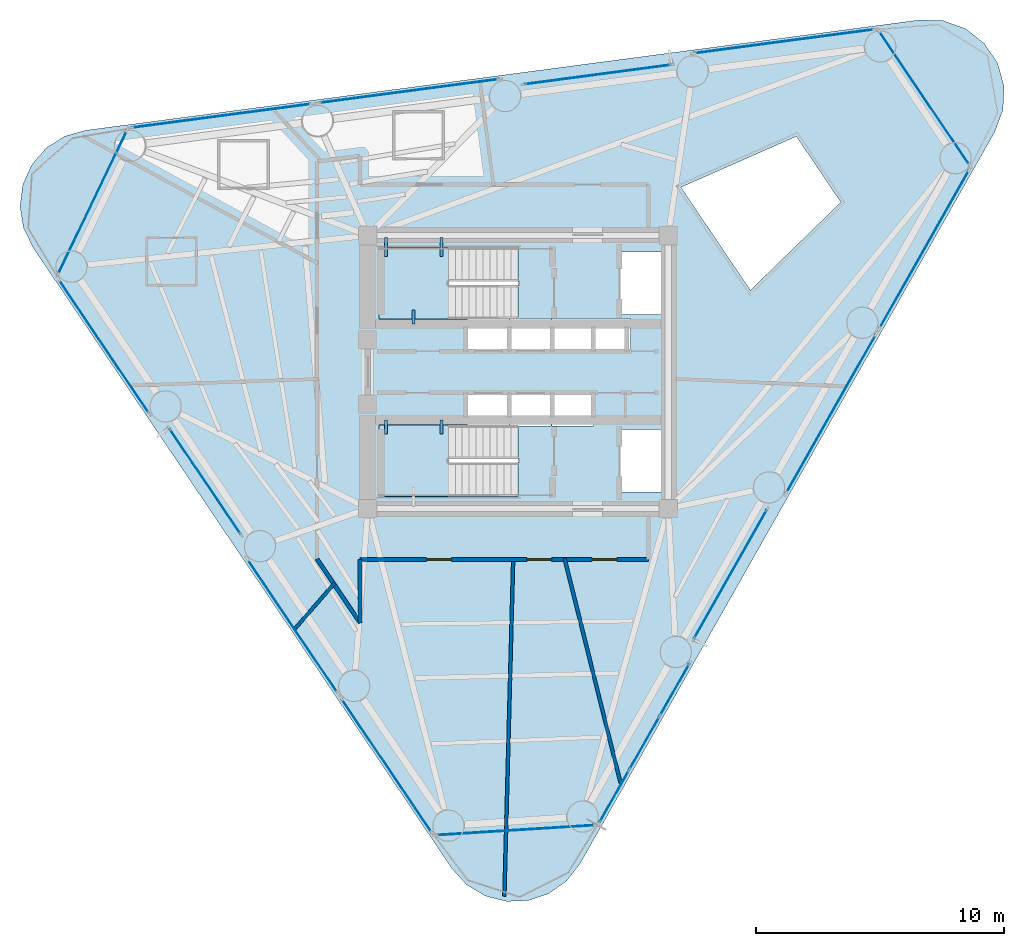
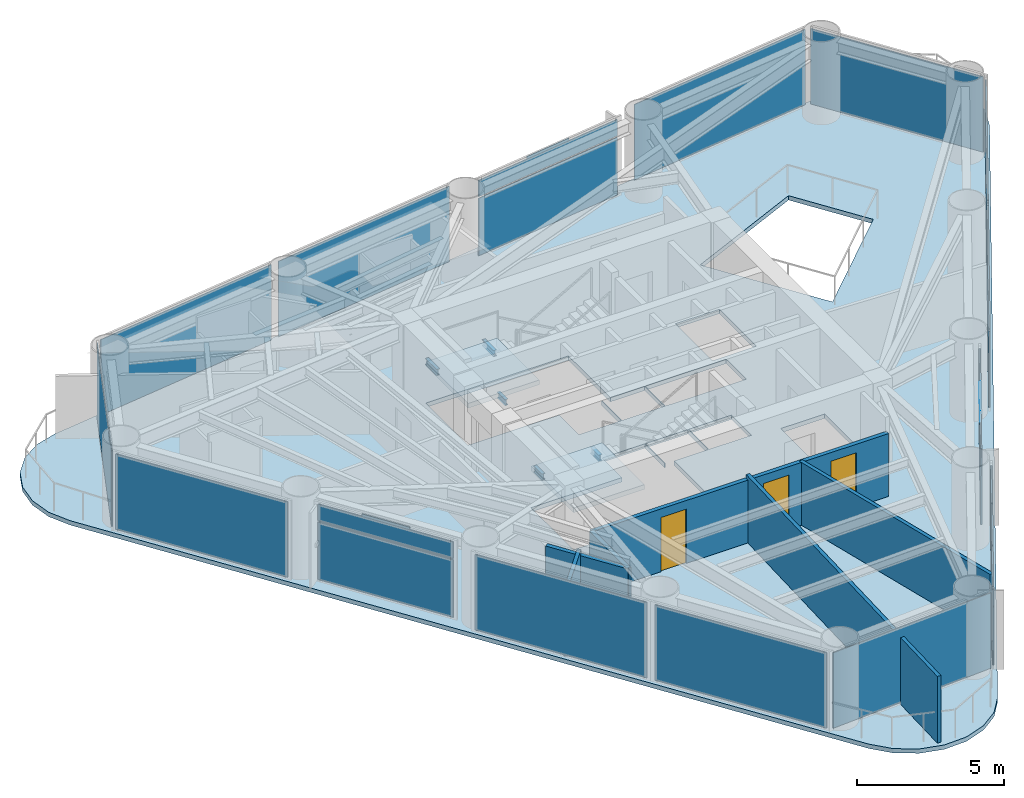
# One storey, part 4 of 9: 26 plates, 6 walls, 5 beams, 3 doors, 3 slabs, 3 openings, 17 elements without a shape of their own.
"""IFC4 building model written with IfcOpenShell, lengths in metres."""

from ifc_helpers import new_model, si_unit, direction, frame, frame_2d, origin, origin_2d, place, context, subcontext, project, spatial, polyline, rectangle, i_section, outline, extrude, source, transform, mapped, material, layer, layer_set, material_profile, profile_set, type_object, element, fill, aggregate, save


model = new_model("IFC4")

# Units and contexts
model_context = context("Model", 3, precision=1e-05, world=origin(), true_north=direction((0.0, 1.0)))
body_context = subcontext(model_context, "Body", "Model", "MODEL_VIEW")
ifc_project = project(units=[si_unit("LENGTHUNIT", "METRE"), si_unit("AREAUNIT", "SQUARE_METRE"), si_unit("VOLUMEUNIT", "CUBIC_METRE"), si_unit("PLANEANGLEUNIT", "RADIAN"), si_unit("MASSUNIT", "GRAM", prefix="KILO")], contexts=[model_context])

# Site, building, storey
site_placement = place(None, origin())
site = spatial("IfcSite", under=ifc_project, at=site_placement, CompositionType="ELEMENT")
building_placement = place(site_placement, origin())
building = spatial("IfcBuilding", under=site, at=building_placement, Name="Yunling Apex Tower", CompositionType="ELEMENT")
storey_placement = place(building_placement, frame((0.0, 0.0, 169.10009765625)))
storey = spatial("IfcBuildingStorey", under=building, at=storey_placement, Name="L41", CompositionType="ELEMENT", Elevation=169.10009765625)

# Beams
ifc_material_1 = material(Name="Steel Q355B", Category="steel")
ifc_material_profile = material_profile(ifc_material_1, i_section(OverallWidth=0.125, OverallDepth=0.25, WebThickness=0.006103515625, FlangeThickness=0.009033203125, FilletRadius=0.011962890625, at=origin_2d()))
ifc_profile_set = profile_set([ifc_material_profile], Name="Steel Q355B")
beam_type = type_object("IfcBeamType", Name="BL-LNT-1", PredefinedType="LINTEL", material=ifc_profile_set)
shared_shape_1 = source(origin(), body_context, "Body", "SweptSolid", [
    extrude(i_section(OverallWidth=0.125, OverallDepth=0.25, WebThickness=0.006103515625, FlangeThickness=0.009033203125, FilletRadius=0.011962890625, at=origin_2d()), origin(), (0.0, 0.0, 1.0), 0.760009765625),
])
for number, where, z_axis, x_axis, name in (
    (1, (-5.320068359375, 5.419921875, 1.40478515625), (0.0, -1.0, 0.0), (1.0, 0.0, 0.0), "L41 ST-1 Landing Bearing Corbel 1-1"),
    (2, (-3.090087890625, 5.419921875, 1.40478515625), (0.0, -1.0, 0.0), (1.0, 0.0, 0.0), "L41 ST-1 Landing Bearing Corbel 1-2"),
):
    element("IfcBeam", number, at=place(storey_placement, frame(where, z_axis=z_axis, x_axis=x_axis)), inside=storey, type_object=beam_type, Name=name, PredefinedType="LINTEL", context=body_context, shape_type="MappedRepresentation", body=[
        mapped(shared_shape_1, transform((0.0, 0.0, 0.0), scale=1.0)),
    ])
shared_shape_2 = source(origin(), body_context, "Body", "SweptSolid", [
    extrude(i_section(OverallWidth=0.125, OverallDepth=0.25, WebThickness=0.006103515625, FlangeThickness=0.009033203125, FilletRadius=0.011962890625, at=origin_2d()), origin(), (0.0, 0.0, 1.0), 0.550048828125),
])
for number, where, z_axis, x_axis, name in (
    (3, (-4.205078125, 1.93994140625, 1.40478515625), (0.0, 1.0, 0.0), (-1.0, 0.0, 0.0), "L41 ST-1 Landing Bearing Corbel 1-3"),
    (4, (-5.320068359375, -1.93994140625, 1.40478515625), (0.0, -1.0, 0.0), (1.0, 0.0, 0.0), "L41 ST-2 Landing Bearing Corbel 1-1"),
    (5, (-3.090087890625, -1.93994140625, 1.40478515625), (0.0, -1.0, 0.0), (1.0, 0.0, 0.0), "L41 ST-2 Landing Bearing Corbel 1-2"),
):
    element("IfcBeam", number, at=place(storey_placement, frame(where, z_axis=z_axis, x_axis=x_axis)), inside=storey, type_object=beam_type, Name=name, PredefinedType="LINTEL", context=body_context, shape_type="MappedRepresentation", body=[
        mapped(shared_shape_2, transform((0.0, 0.0, 0.0), scale=1.0)),
    ])

# Slab
ifc_material_2 = material(Name="Concrete C40", Category="concrete")
ifc_layer_1 = layer(ifc_material_2, 0.1650390625)
ifc_layer_set_1 = layer_set([ifc_layer_1], Name="Concrete C40")
slab_type_1 = type_object("IfcSlabType", Name="SL-FLR-2", PredefinedType="FLOOR", material=ifc_layer_set_1)
slab_1_placement = place(storey_placement, frame((0.0, 0.0, -0.18017578125)))
element("IfcSlab", 6, at=slab_1_placement, inside=storey, type_object=slab_type_1, Name="L41 Composite Tower Floor Slab", PredefinedType="FLOOR", context=body_context, shape_type="SweptSolid", body=[
    extrude(outline(polyline([(-2.665771484375, -20.00146484375), (-2.073486328125, -20.65185546875), (-1.31982421875, -21.10546875), (-0.468017578125, -21.32421875), (0.410888671875, -21.2900390625), (1.243408203125, -21.005615234375), (1.95947265625, -20.494873046875), (2.499267578125, -19.80029296875), (19.197998046875, 9.66650390625), (19.533203125, 10.565185546875), (19.572021484375, 11.5234375), (19.31005859375, 12.4462890625), (18.773681640625, 13.241455078125), (18.01611328125, 13.830078125), (17.113037109375, 14.1533203125), (16.154296875, 14.178955078125), (-17.422119140625, 9.734619140625), (-18.268310546875, 9.494384765625), (-19.01025390625, 9.021728515625), (-19.585693359375, 8.3564453125), (-19.947021484375, 7.554443359375), (-20.06298828125, 6.682373046875), (-19.9248046875, 5.813720703125), (-19.543701171875, 5.02099609375), (-2.665771484375, -20.00146484375)]), holes=[polyline([(11.209228515625, 9.49072265625), (12.998779296875, 6.837890625), (9.356689453125, 3.295654296875), (6.560791015625, 7.44091796875), (11.209228515625, 9.49072265625)]), polyline([(4.090087890625, -2.320068359375), (5.81005859375, -2.320068359375), (5.81005859375, -4.840087890625), (4.090087890625, -4.840087890625), (4.090087890625, -2.320068359375)]), polyline([(5.81005859375, 4.840087890625), (5.81005859375, 2.320068359375), (4.090087890625, 2.320068359375), (4.090087890625, 4.840087890625), (5.81005859375, 4.840087890625)]), polyline([(1.364990234375, 2.1650390625), (4.534912109375, 2.1650390625), (4.534912109375, 0.794921875), (1.364990234375, 0.794921875), (1.364990234375, 2.1650390625)]), polyline([(3.034912109375, -0.794921875), (3.034912109375, -2.1650390625), (1.364990234375, -2.1650390625), (1.364990234375, -0.794921875), (3.034912109375, -0.794921875)]), polyline([(-2.034912109375, -0.794921875), (-0.364990234375, -0.794921875), (-0.364990234375, -2.139892578125), (-0.3349609375, -2.139892578125), (-0.3349609375, -0.794921875), (1.3349609375, -0.794921875), (1.3349609375, -2.1650390625), (-0.010009765625, -2.1650390625), (-0.010009765625, -5.010009765625), (-5.60009765625, -5.010009765625), (-5.60009765625, -2.139892578125), (-2.034912109375, -2.139892578125), (-2.034912109375, -0.794921875)]), polyline([(-5.60009765625, 2.139892578125), (-5.60009765625, 5.010009765625), (-0.010009765625, 5.010009765625), (-0.010009765625, 2.1650390625), (1.3349609375, 2.1650390625), (1.3349609375, 0.794921875), (-0.3349609375, 0.794921875), (-0.3349609375, 2.139892578125), (-0.364990234375, 2.139892578125), (-0.364990234375, 0.794921875), (-2.034912109375, 0.794921875), (-2.034912109375, 2.139892578125), (-5.60009765625, 2.139892578125)])]), origin(), (0.0, 0.0, 1.0), 0.18017578125),
])

# Stair, slab
stair_type = type_object("IfcStairType", Name="ST-TWR-2", PredefinedType="HALF_TURN_STAIR", material=ifc_material_2)
stair_1_placement = place(storey_placement, origin())
stair_1 = element("IfcStair", 7, at=stair_1_placement, inside=storey, type_object=stair_type, Name="L41 North Core Smokeproof Exit Stair ST-1", PredefinedType="HALF_TURN_STAIR")
ifc_layer_2 = layer(ifc_material_2, 0.195068359375)
ifc_layer_set_2 = layer_set([ifc_layer_2], Name="Concrete C40")
slab_type_2 = type_object("IfcSlabType", Name="SL-LND-1", PredefinedType="LANDING", material=ifc_layer_set_2)
slab_2_placement = place(storey_placement, frame((0.0, 0.0, 1.52978515625)))
slab_2 = element("IfcSlab", 8, at=slab_2_placement, type_object=slab_type_2, Name="ST-1 landing 1", PredefinedType="LANDING", context=body_context, shape_type="SweptSolid", body=[
    extrude(outline(polyline([(-2.81005859375, 5.010009765625), (-5.60009765625, 5.010009765625), (-5.60009765625, 2.139892578125), (-2.81005859375, 2.139892578125), (-2.81005859375, 5.010009765625)])), origin(), (0.0, 0.0, 1.0), 0.195068359375),
])
aggregate(stair_1, [slab_2])

stair_2_placement = place(storey_placement, origin())
stair_2 = element("IfcStair", 9, at=stair_2_placement, inside=storey, type_object=stair_type, Name="L41 South Core Smokeproof Exit Stair ST-2", PredefinedType="HALF_TURN_STAIR")
slab_3_placement = place(storey_placement, frame((0.0, 0.0, 1.52978515625)))
slab_3 = element("IfcSlab", 10, at=slab_3_placement, type_object=slab_type_2, Name="ST-2 landing 1", PredefinedType="LANDING", context=body_context, shape_type="SweptSolid", body=[
    extrude(outline(polyline([(-2.81005859375, -2.139892578125), (-5.60009765625, -2.139892578125), (-5.60009765625, -5.010009765625), (-2.81005859375, -5.010009765625), (-2.81005859375, -2.139892578125)])), origin(), (0.0, 0.0, 1.0), 0.195068359375),
])
aggregate(stair_2, [slab_3])

# Plates
ifc_material_3 = material(Name="Bronze anodised aluminium", Category="aluminium")
ifc_layer_3 = layer(ifc_material_3, 0.011962890625)
ifc_layer_set_3 = layer_set([ifc_layer_3], Name="Bronze anodised aluminium")
plate_type_1 = type_object("IfcPlateType", Name="SP-SHT-1", PredefinedType="SHEET", material=ifc_layer_set_3)
shared_shape_3 = source(origin(), body_context, "Body", "SweptSolid", [
    extrude(rectangle(XDim=1.800048828125, YDim=0.02392578125, at=origin_2d()), origin(), (0.0, 0.0, 1.0), 0.43994140625),
])
for number, where, z_axis, x_axis, name in (
    (11, (8.552490234375, -8.1455078125, 2.869873046875), (0.0, 0.0, 1.0), (0.493031062956, 0.87001170737, 0.0), "SP-GRV-L41-F1"),
    (12, (3.206298828125, 11.98095703125, 2.869873046875), (0.0, 0.0, 1.0), (-0.9913534953, -0.131218319443, 0.0), "SP-GRV-L41-F2"),
    (13, (-12.60546875, -4.40673828125, 2.869873046875), (0.0, 0.0, 1.0), (0.559192903471, -0.829037572555, 0.0), "SP-GRV-L41-F3"),
):
    element("IfcPlate", number, at=place(storey_placement, frame(where, z_axis=z_axis, x_axis=x_axis)), inside=storey, type_object=plate_type_1, Name=name, PredefinedType="SHEET", context=body_context, shape_type="MappedRepresentation", body=[
        mapped(shared_shape_3, transform((0.0, 0.0, 0.0), scale=1.0)),
    ])

# Curtain wall, plates
ifc_layer_4 = layer(ifc_material_3, 0.239990234375)
ifc_layer_set_4 = layer_set([ifc_layer_4], Name="Bronze anodised aluminium")
curtain_wall_type = type_object("IfcCurtainWallType", Name="CW-SYS-3", PredefinedType="NOTDEFINED", material=ifc_layer_set_4)
curtain_wall_1_placement = place(storey_placement, origin())
curtain_wall_1 = element("IfcCurtainWall", 14, at=curtain_wall_1_placement, inside=storey, type_object=curtain_wall_type, Name="CW-L41-F1-B1", PredefinedType="NOTDEFINED")
ifc_material_4 = material(Name="Bronze tinted low-E glass", Category="glass")
ifc_layer_5 = layer(ifc_material_4, 0.031982421875)
ifc_layer_set_5 = layer_set([ifc_layer_5], Name="Bronze tinted low-E glass")
plate_type_2 = type_object("IfcPlateType", Name="CW-PNL-3", PredefinedType="CURTAIN_PANEL", material=ifc_layer_set_5)
shared_shape_4 = source(origin(), body_context, "Body", "SweptSolid", [
    extrude(rectangle(XDim=2.3828125, YDim=0.031982421875, at=origin_2d()), origin(), (0.0, 0.0, 1.0), 2.381103515625),
])
plate_1_placement = place(storey_placement, frame((3.874755859375, -17.089111328125, 0.07177734375), z_axis=(0.0, 0.0, 1.0), x_axis=(0.493040979859, 0.870006087438, 0.0)))
plate_1 = element("IfcPlate", 15, at=plate_1_placement, type_object=plate_type_2, Name="CW-SYS-3 panel 1.1", PredefinedType="CURTAIN_PANEL", context=body_context, shape_type="MappedRepresentation", body=[
    mapped(shared_shape_4, transform((0.0, 0.0, 0.0), scale=1.0)),
])
plate_2_placement = place(storey_placement, frame((6.307373046875, -12.796875, 0.07177734375), z_axis=(0.0, 0.0, 1.0), x_axis=(0.493040979859, 0.870006087438, 0.0)))
plate_2 = element("IfcPlate", 16, at=plate_2_placement, type_object=plate_type_2, Name="CW-SYS-3 panel 3.1", PredefinedType="CURTAIN_PANEL", context=body_context, shape_type="MappedRepresentation", body=[
    mapped(shared_shape_4, transform((0.0, 0.0, 0.0), scale=1.0)),
])
shared_shape_5 = source(origin(), body_context, "Body", "SweptSolid", [
    extrude(rectangle(XDim=2.3828125, YDim=0.031982421875, at=origin_2d()), origin(), (0.0, 0.0, 1.0), 0.680908203125),
])
plate_3_placement = place(storey_placement, frame((3.874755859375, -17.089111328125, 2.51708984375), z_axis=(0.0, 0.0, 1.0), x_axis=(0.493040979859, 0.870006087438, 0.0)))
plate_3 = element("IfcPlate", 17, at=plate_3_placement, type_object=plate_type_2, Name="CW-SYS-3 panel 1.2", PredefinedType="CURTAIN_PANEL", context=body_context, shape_type="MappedRepresentation", body=[
    mapped(shared_shape_5, transform((0.0, 0.0, 0.0), scale=1.0)),
])
plate_4_placement = place(storey_placement, frame((6.307373046875, -12.796875, 2.51708984375), z_axis=(0.0, 0.0, 1.0), x_axis=(0.493040979859, 0.870006087438, 0.0)))
plate_4 = element("IfcPlate", 18, at=plate_4_placement, type_object=plate_type_2, Name="CW-SYS-3 panel 3.2", PredefinedType="CURTAIN_PANEL", context=body_context, shape_type="MappedRepresentation", body=[
    mapped(shared_shape_5, transform((0.0, 0.0, 0.0), scale=1.0)),
])
shared_shape_6 = source(origin(), body_context, "Body", "SweptSolid", [
    extrude(rectangle(XDim=2.4228515625, YDim=0.031982421875, at=origin_2d()), origin(), (0.0, 0.0, 1.0), 2.381103515625),
])
plate_5_placement = place(storey_placement, frame((5.091064453125, -14.943115234375, 0.07177734375), z_axis=(0.0, 0.0, 1.0), x_axis=(0.493040979859, 0.870006087438, 0.0)))
plate_5 = element("IfcPlate", 19, at=plate_5_placement, type_object=plate_type_2, Name="CW-SYS-3 panel 2.1", PredefinedType="CURTAIN_PANEL", context=body_context, shape_type="MappedRepresentation", body=[
    mapped(shared_shape_6, transform((0.0, 0.0, 0.0), scale=1.0)),
])
shared_shape_7 = source(origin(), body_context, "Body", "SweptSolid", [
    extrude(rectangle(XDim=2.4228515625, YDim=0.031982421875, at=origin_2d()), origin(), (0.0, 0.0, 1.0), 0.680908203125),
])
plate_6_placement = place(storey_placement, frame((5.091064453125, -14.943115234375, 2.51708984375), z_axis=(0.0, 0.0, 1.0), x_axis=(0.493040979859, 0.870006087438, 0.0)))
plate_6 = element("IfcPlate", 20, at=plate_6_placement, type_object=plate_type_2, Name="CW-SYS-3 panel 2.2", PredefinedType="CURTAIN_PANEL", context=body_context, shape_type="MappedRepresentation", body=[
    mapped(shared_shape_7, transform((0.0, 0.0, 0.0), scale=1.0)),
])
aggregate(curtain_wall_1, [plate_1, plate_3, plate_5, plate_6, plate_2, plate_4])

# Curtain wall, plate
curtain_wall_2_placement = place(storey_placement, origin())
curtain_wall_2 = element("IfcCurtainWall", 21, at=curtain_wall_2_placement, inside=storey, type_object=curtain_wall_type, Name="CW-L41-F1-B2", PredefinedType="NOTDEFINED")
shared_shape_8 = source(origin(), body_context, "Body", "SweptSolid", [
    extrude(rectangle(XDim=5.9365234375, YDim=0.031982421875, at=origin_2d()), origin(), (0.0, 0.0, 1.0), 2.381103515625),
])
plate_7_placement = place(storey_placement, frame((8.552490234375, -8.145263671875, 0.07177734375), z_axis=(0.0, 0.0, 1.0), x_axis=(0.493047012471, 0.87000266867, 0.0)))
plate_7 = element("IfcPlate", 22, at=plate_7_placement, type_object=plate_type_2, Name="CW-SYS-3 panel 1.1", PredefinedType="CURTAIN_PANEL", context=body_context, shape_type="MappedRepresentation", body=[
    mapped(shared_shape_8, transform((0.0, 0.0, 0.0), scale=1.0)),
])

curtain_wall_3_placement = place(storey_placement, origin())
curtain_wall_3 = element("IfcCurtainWall", 23, at=curtain_wall_3_placement, inside=storey, type_object=curtain_wall_type, Name="CW-L41-F2-B2", PredefinedType="NOTDEFINED")
plate_8_placement = place(storey_placement, frame((3.206298828125, 11.98095703125, 0.07177734375), z_axis=(0.0, 0.0, 1.0), x_axis=(-0.99135526932, -0.131204916036, 0.0)))
plate_8 = element("IfcPlate", 24, at=plate_8_placement, type_object=plate_type_2, Name="CW-SYS-3 panel 1.1", PredefinedType="CURTAIN_PANEL", context=body_context, shape_type="MappedRepresentation", body=[
    mapped(shared_shape_8, transform((0.0, 0.0, 0.0), scale=1.0)),
])

# Plate
shared_shape_9 = source(origin(), body_context, "Body", "SweptSolid", [
    extrude(rectangle(XDim=5.9365234375, YDim=0.031982421875, at=origin_2d()), origin(), (0.0, 0.0, 1.0), 0.680908203125),
])
plate_9_placement = place(storey_placement, frame((8.552490234375, -8.145263671875, 2.51708984375), z_axis=(0.0, 0.0, 1.0), x_axis=(0.493047012471, 0.87000266867, 0.0)))
plate_9 = element("IfcPlate", 25, at=plate_9_placement, type_object=plate_type_2, Name="CW-SYS-3 panel 1.2", PredefinedType="CURTAIN_PANEL", context=body_context, shape_type="MappedRepresentation", body=[
    mapped(shared_shape_9, transform((0.0, 0.0, 0.0), scale=1.0)),
])

aggregate(curtain_wall_2, [plate_7, plate_9])

plate_10_placement = place(storey_placement, frame((3.206298828125, 11.98095703125, 2.51708984375), z_axis=(0.0, 0.0, 1.0), x_axis=(-0.99135526932, -0.131204916036, 0.0)))
plate_10 = element("IfcPlate", 26, at=plate_10_placement, type_object=plate_type_2, Name="CW-SYS-3 panel 1.2", PredefinedType="CURTAIN_PANEL", context=body_context, shape_type="MappedRepresentation", body=[
    mapped(shared_shape_9, transform((0.0, 0.0, 0.0), scale=1.0)),
])

aggregate(curtain_wall_3, [plate_8, plate_10])

# Curtain wall, plate
curtain_wall_4_placement = place(storey_placement, origin())
curtain_wall_4 = element("IfcCurtainWall", 27, at=curtain_wall_4_placement, inside=storey, type_object=curtain_wall_type, Name="CW-L41-F1-B3", PredefinedType="NOTDEFINED")
shared_shape_10 = source(origin(), body_context, "Body", "SweptSolid", [
    extrude(rectangle(XDim=7.316650390625, YDim=0.031982421875, at=origin_2d()), origin(), (0.0, 0.0, 1.0), 3.1259765625),
])
plate_11_placement = place(storey_placement, frame((12.60546875, -1.682861328125, 0.072021484375), z_axis=(0.0, 0.0, 1.0), x_axis=(0.493035230416, 0.870009345679, 0.0)))
plate_11 = element("IfcPlate", 28, at=plate_11_placement, type_object=plate_type_2, Name="CW-SYS-3 panel 1.1", PredefinedType="CURTAIN_PANEL", context=body_context, shape_type="MappedRepresentation", body=[
    mapped(shared_shape_10, transform((0.0, 0.0, 0.0), scale=1.0)),
])
aggregate(curtain_wall_4, [plate_11])

curtain_wall_5_placement = place(storey_placement, origin())
curtain_wall_5 = element("IfcCurtainWall", 29, at=curtain_wall_5_placement, inside=storey, type_object=curtain_wall_type, Name="CW-L41-F1-B4", PredefinedType="NOTDEFINED")
plate_12_placement = place(storey_placement, frame((16.362548828125, 4.947021484375, 0.072021484375), z_axis=(0.0, 0.0, 1.0), x_axis=(0.493040979859, 0.870006087438, 0.0)))
plate_12 = element("IfcPlate", 30, at=plate_12_placement, type_object=plate_type_2, Name="CW-SYS-3 panel 1.1", PredefinedType="CURTAIN_PANEL", context=body_context, shape_type="MappedRepresentation", body=[
    mapped(shared_shape_10, transform((0.0, 0.0, 0.0), scale=1.0)),
])
aggregate(curtain_wall_5, [plate_12])

curtain_wall_6_placement = place(storey_placement, origin())
curtain_wall_6 = element("IfcCurtainWall", 31, at=curtain_wall_6_placement, inside=storey, type_object=curtain_wall_type, Name="CW-L41-F2-B1", PredefinedType="NOTDEFINED")
plate_13_placement = place(storey_placement, frame((10.716552734375, 13.31787109375, 0.072021484375), z_axis=(0.0, 0.0, 1.0), x_axis=(-0.991352945496, -0.131222473138, 0.0)))
plate_13 = element("IfcPlate", 32, at=plate_13_placement, type_object=plate_type_2, Name="CW-SYS-3 panel 1.1", PredefinedType="CURTAIN_PANEL", context=body_context, shape_type="MappedRepresentation", body=[
    mapped(shared_shape_10, transform((0.0, 0.0, 0.0), scale=1.0)),
])
aggregate(curtain_wall_6, [plate_13])

curtain_wall_7_placement = place(storey_placement, origin())
curtain_wall_7 = element("IfcCurtainWall", 33, at=curtain_wall_7_placement, inside=storey, type_object=curtain_wall_type, Name="CW-L41-F2-B3", PredefinedType="NOTDEFINED")
plate_14_placement = place(storey_placement, frame((-4.39306640625, 11.318115234375, 0.072021484375), z_axis=(0.0, 0.0, 1.0), x_axis=(-0.991354689071, -0.13120930019, 0.0)))
plate_14 = element("IfcPlate", 34, at=plate_14_placement, type_object=plate_type_2, Name="CW-SYS-3 panel 1.1", PredefinedType="CURTAIN_PANEL", context=body_context, shape_type="MappedRepresentation", body=[
    mapped(shared_shape_10, transform((0.0, 0.0, 0.0), scale=1.0)),
])
aggregate(curtain_wall_7, [plate_14])

curtain_wall_8_placement = place(storey_placement, origin())
curtain_wall_8 = element("IfcCurtainWall", 35, at=curtain_wall_8_placement, inside=storey, type_object=curtain_wall_type, Name="CW-L41-F2-B4", PredefinedType="NOTDEFINED")
plate_15_placement = place(storey_placement, frame((-11.94775390625, 10.318115234375, 0.072021484375), z_axis=(0.0, 0.0, 1.0), x_axis=(-0.991352945496, -0.131222473138, 0.0)))
plate_15 = element("IfcPlate", 36, at=plate_15_placement, type_object=plate_type_2, Name="CW-SYS-3 panel 1.1", PredefinedType="CURTAIN_PANEL", context=body_context, shape_type="MappedRepresentation", body=[
    mapped(shared_shape_10, transform((0.0, 0.0, 0.0), scale=1.0)),
])
aggregate(curtain_wall_8, [plate_15])

curtain_wall_9_placement = place(storey_placement, origin())
curtain_wall_9 = element("IfcCurtainWall", 37, at=curtain_wall_9_placement, inside=storey, type_object=curtain_wall_type, Name="CW-L41-CRN1", PredefinedType="NOTDEFINED")
shared_shape_11 = source(origin(), body_context, "Body", "SweptSolid", [
    extrude(rectangle(XDim=6.521728515625, YDim=0.031982421875, at=origin_2d()), origin(), (0.0, 0.0, 1.0), 3.1259765625),
])
plate_16_placement = place(storey_placement, frame((16.360107421875, 11.03515625, 0.072021484375), z_axis=(0.0, 0.0, 1.0), x_axis=(-0.559192747259, 0.829037677921, 0.0)))
plate_16 = element("IfcPlate", 38, at=plate_16_placement, type_object=plate_type_2, Name="CW-SYS-3 panel 1.1", PredefinedType="CURTAIN_PANEL", context=body_context, shape_type="MappedRepresentation", body=[
    mapped(shared_shape_11, transform((0.0, 0.0, 0.0), scale=1.0)),
])
aggregate(curtain_wall_9, [plate_16])

curtain_wall_10_placement = place(storey_placement, origin())
curtain_wall_10 = element("IfcCurtainWall", 39, at=curtain_wall_10_placement, inside=storey, type_object=curtain_wall_type, Name="CW-L41-CRN2", PredefinedType="NOTDEFINED")
shared_shape_12 = source(origin(), body_context, "Body", "SweptSolid", [
    extrude(rectangle(XDim=6.441162109375, YDim=0.031982421875, at=origin_2d()), origin(), (0.0, 0.0, 1.0), 3.1259765625),
])
plate_17_placement = place(storey_placement, frame((-17.144775390625, 6.828857421875, 0.072021484375), z_axis=(0.0, 0.0, 1.0), x_axis=(-0.431993843071, -0.901876554496, 0.0)))
plate_17 = element("IfcPlate", 40, at=plate_17_placement, type_object=plate_type_2, Name="CW-SYS-3 panel 1.1", PredefinedType="CURTAIN_PANEL", context=body_context, shape_type="MappedRepresentation", body=[
    mapped(shared_shape_12, transform((0.0, 0.0, 0.0), scale=1.0)),
])
aggregate(curtain_wall_10, [plate_17])

curtain_wall_11_placement = place(storey_placement, origin())
curtain_wall_11 = element("IfcCurtainWall", 41, at=curtain_wall_11_placement, inside=storey, type_object=curtain_wall_type, Name="CW-L41-CRN3", PredefinedType="NOTDEFINED")
plate_18_placement = place(storey_placement, frame((-0.091064453125, -18.454345703125, 0.072021484375), z_axis=(0.0, 0.0, 1.0), x_axis=(0.998034158431, 0.062672311308, 0.0)))
plate_18 = element("IfcPlate", 42, at=plate_18_placement, type_object=plate_type_2, Name="CW-SYS-3 panel 1.1", PredefinedType="CURTAIN_PANEL", context=body_context, shape_type="MappedRepresentation", body=[
    mapped(shared_shape_12, transform((0.0, 0.0, 0.0), scale=1.0)),
])
aggregate(curtain_wall_11, [plate_18])

curtain_wall_12_placement = place(storey_placement, origin())
curtain_wall_12 = element("IfcCurtainWall", 43, at=curtain_wall_12_placement, inside=storey, type_object=curtain_wall_type, Name="CW-L41-F3-B1", PredefinedType="NOTDEFINED")
shared_shape_13 = source(origin(), body_context, "Body", "SweptSolid", [
    extrude(rectangle(XDim=6.487060546875, YDim=0.031982421875, at=origin_2d()), origin(), (0.0, 0.0, 1.0), 3.1259765625),
])
plate_19_placement = place(storey_placement, frame((-16.684814453125, 1.033203125, 0.072021484375), z_axis=(0.0, 0.0, 1.0), x_axis=(0.559181442901, -0.829045302692, 0.0)))
plate_19 = element("IfcPlate", 44, at=plate_19_placement, type_object=plate_type_2, Name="CW-SYS-3 panel 1.1", PredefinedType="CURTAIN_PANEL", context=body_context, shape_type="MappedRepresentation", body=[
    mapped(shared_shape_13, transform((0.0, 0.0, 0.0), scale=1.0)),
])
aggregate(curtain_wall_12, [plate_19])

curtain_wall_13_placement = place(storey_placement, origin())
curtain_wall_13 = element("IfcCurtainWall", 45, at=curtain_wall_13_placement, inside=storey, type_object=curtain_wall_type, Name="CW-L41-F3-B3", PredefinedType="NOTDEFINED")
plate_20_placement = place(storey_placement, frame((-9.08984375, -10.226806640625, 0.072021484375), z_axis=(0.0, 0.0, 1.0), x_axis=(0.559188434042, -0.829040587205, 0.0)))
plate_20 = element("IfcPlate", 46, at=plate_20_placement, type_object=plate_type_2, Name="CW-SYS-3 panel 1.1", PredefinedType="CURTAIN_PANEL", context=body_context, shape_type="MappedRepresentation", body=[
    mapped(shared_shape_13, transform((0.0, 0.0, 0.0), scale=1.0)),
])
aggregate(curtain_wall_13, [plate_20])

curtain_wall_14_placement = place(storey_placement, origin())
curtain_wall_14 = element("IfcCurtainWall", 47, at=curtain_wall_14_placement, inside=storey, type_object=curtain_wall_type, Name="CW-L41-F3-B4", PredefinedType="NOTDEFINED")
plate_21_placement = place(storey_placement, frame((-5.29248046875, -15.85693359375, 0.072021484375), z_axis=(0.0, 0.0, 1.0), x_axis=(0.559181442901, -0.829045302692, 0.0)))
plate_21 = element("IfcPlate", 48, at=plate_21_placement, type_object=plate_type_2, Name="CW-SYS-3 panel 1.1", PredefinedType="CURTAIN_PANEL", context=body_context, shape_type="MappedRepresentation", body=[
    mapped(shared_shape_13, transform((0.0, 0.0, 0.0), scale=1.0)),
])
aggregate(curtain_wall_14, [plate_21])

# Curtain wall, plates
curtain_wall_15_placement = place(storey_placement, origin())
curtain_wall_15 = element("IfcCurtainWall", 49, at=curtain_wall_15_placement, inside=storey, type_object=curtain_wall_type, Name="CW-L41-F3-B2", PredefinedType="NOTDEFINED")
shared_shape_14 = source(origin(), body_context, "Body", "SweptSolid", [
    extrude(rectangle(XDim=5.10693359375, YDim=0.031982421875, at=origin_2d()), origin(), (0.0, 0.0, 1.0), 2.381103515625),
])
plate_22_placement = place(storey_placement, frame((-12.60546875, -4.40673828125, 0.07177734375), z_axis=(0.0, 0.0, 1.0), x_axis=(0.559209856873, -0.829026137089, 0.0)))
plate_22 = element("IfcPlate", 50, at=plate_22_placement, type_object=plate_type_2, Name="CW-SYS-3 panel 1.1", PredefinedType="CURTAIN_PANEL", context=body_context, shape_type="MappedRepresentation", body=[
    mapped(shared_shape_14, transform((0.0, 0.0, 0.0), scale=1.0)),
])
shared_shape_15 = source(origin(), body_context, "Body", "SweptSolid", [
    extrude(rectangle(XDim=5.10693359375, YDim=0.031982421875, at=origin_2d()), origin(), (0.0, 0.0, 1.0), 0.680908203125),
])
plate_23_placement = place(storey_placement, frame((-12.60546875, -4.40673828125, 2.51708984375), z_axis=(0.0, 0.0, 1.0), x_axis=(0.559209856873, -0.829026137089, 0.0)))
plate_23 = element("IfcPlate", 51, at=plate_23_placement, type_object=plate_type_2, Name="CW-SYS-3 panel 1.2", PredefinedType="CURTAIN_PANEL", context=body_context, shape_type="MappedRepresentation", body=[
    mapped(shared_shape_15, transform((0.0, 0.0, 0.0), scale=1.0)),
])
aggregate(curtain_wall_15, [plate_22, plate_23])

# Wall
ifc_material_5 = material(Name="Gypsum board acoustic partition")
ifc_layer_6 = layer(ifc_material_5, 0.159912109375)
ifc_layer_set_6 = layer_set([ifc_layer_6], Name="Gypsum board acoustic partition")
wall_type_1 = type_object("IfcWallType", Name="WL-PRT-1", PredefinedType="PARTITIONING", material=ifc_layer_set_6)
wall_1_placement = place(storey_placement, frame((-6.360107421875, -10.107421875, 0.0), z_axis=(0.0, 0.0, 1.0), x_axis=(-0.559200615657, 0.829032370567, 0.0)))
element("IfcWall", 52, at=wall_1_placement, inside=storey, type_object=wall_type_1, Name="WL-CORR-L41-01", PredefinedType="PARTITIONING", context=body_context, shape_type="SweptSolid", body=[
    extrude(rectangle(XDim=3.111572265625, YDim=0.159912109375, at=frame_2d((1.5556640625, 0.0))), origin(), (0.0, 0.0, 1.0), 2.60498046875),
])

# Wall, openings, doors
wall_2_placement = place(storey_placement, frame((5.25, -7.550048828125, 0.0), z_axis=(0.0, 0.0, 1.0), x_axis=(-1.0, 0.0, 0.0)))
wall_2 = element("IfcWall", 53, at=wall_2_placement, inside=storey, type_object=wall_type_1, Name="WL-CORR-L41-09", PredefinedType="PARTITIONING", context=body_context, shape_type="SweptSolid", body=[
    extrude(rectangle(XDim=11.610107421875, YDim=0.159912109375, at=frame_2d((5.80517578125, 0.0))), origin(), (0.0, 0.0, 1.0), 2.60498046875),
])
opening_1_placement = place(wall_2_placement, frame((1.2666015625, 0.0, 0.0)))
opening_1 = element("IfcOpeningElement", 54, at=opening_1_placement, cuts=wall_2, Name="Opening DR-OFF-1", PredefinedType="OPENING", context=body_context, shape_type="SweptSolid", body=[
    extrude(rectangle(XDim=1.0, YDim=2.25, at=frame_2d((0.5, 1.125))), frame((0.0, 0.08984375, 0.0), z_axis=(0.0, -1.0, 0.0), x_axis=(1.0, 0.0, 0.0)), (0.0, 0.0, 1.0), 0.179931640625),
])
opening_2_placement = place(wall_2_placement, frame((3.89990234375, 0.0, 0.0)))
opening_2 = element("IfcOpeningElement", 55, at=opening_2_placement, cuts=wall_2, Name="Opening DR-OFF-1", PredefinedType="OPENING", context=body_context, shape_type="SweptSolid", body=[
    extrude(rectangle(XDim=1.0, YDim=2.25, at=frame_2d((0.5, 1.125))), frame((0.0, 0.08984375, 0.0), z_axis=(0.0, -1.0, 0.0), x_axis=(1.0, 0.0, 0.0)), (0.0, 0.0, 1.0), 0.179931640625),
])
opening_3_placement = place(wall_2_placement, frame((7.935791015625, 0.0, 0.0)))
opening_3 = element("IfcOpeningElement", 56, at=opening_3_placement, cuts=wall_2, Name="Opening DR-OFF-1", PredefinedType="OPENING", context=body_context, shape_type="SweptSolid", body=[
    extrude(rectangle(XDim=1.0, YDim=2.25, at=frame_2d((0.5, 1.125))), frame((0.0, 0.08984375, 0.0), z_axis=(0.0, -1.0, 0.0), x_axis=(1.0, 0.0, 0.0)), (0.0, 0.0, 1.0), 0.179931640625),
])
door_type = type_object("IfcDoorType", Name="DR-OFF-1", OperationType="NOTDEFINED", PredefinedType="DOOR", material=ifc_material_3)
door_1_placement = place(opening_1_placement, origin())
door_1 = element("IfcDoor", 57, at=door_1_placement, inside=storey, type_object=door_type, Name="L41 VIP Reception Foyer Door", OperationType="SINGLE_SWING_RIGHT", OverallHeight=2.25, OverallWidth=1.0, PredefinedType="DOOR", context=body_context, shape_type="SweptSolid", body=[
    extrude(rectangle(XDim=1.0, YDim=2.25, at=frame_2d((0.5, 1.125))), frame((0.0, 0.02490234375, 0.0), z_axis=(0.0, -1.0, 0.0), x_axis=(1.0, 0.0, 0.0)), (0.0, 0.0, 1.0), 0.050048828125),
])
fill(opening_1, door_1)
door_2_placement = place(opening_2_placement, origin())
door_2 = element("IfcDoor", 58, at=door_2_placement, inside=storey, type_object=door_type, Name="L41 Staff Duty Office Door", OperationType="SINGLE_SWING_LEFT", OverallHeight=2.25, OverallWidth=1.0, PredefinedType="DOOR", context=body_context, shape_type="SweptSolid", body=[
    extrude(rectangle(XDim=1.0, YDim=2.25, at=frame_2d((0.5, 1.125))), frame((0.0, 0.02490234375, 0.0), z_axis=(0.0, -1.0, 0.0), x_axis=(1.0, 0.0, 0.0)), (0.0, 0.0, 1.0), 0.050048828125),
])
fill(opening_2, door_2)
door_3_placement = place(opening_3_placement, origin())
door_3 = element("IfcDoor", 59, at=door_3_placement, inside=storey, type_object=door_type, Name="L41 VIP Reception Foyer Door", OperationType="SINGLE_SWING_RIGHT", OverallHeight=2.25, OverallWidth=1.0, PredefinedType="DOOR", context=body_context, shape_type="SweptSolid", body=[
    extrude(rectangle(XDim=1.0, YDim=2.25, at=frame_2d((0.5, 1.125))), frame((0.0, 0.02490234375, 0.0), z_axis=(0.0, -1.0, 0.0), x_axis=(1.0, 0.0, 0.0)), (0.0, 0.0, 1.0), 0.050048828125),
])
fill(opening_3, door_3)

# Walls
wall_3_placement = place(storey_placement, frame((-6.360107421875, -7.550048828125, 0.0), z_axis=(0.0, 0.0, 1.0), x_axis=(0.0, -1.0, 0.0)))
element("IfcWall", 60, at=wall_3_placement, inside=storey, type_object=wall_type_1, Name="WL-CORR-L41-10", PredefinedType="PARTITIONING", context=body_context, shape_type="SweptSolid", body=[
    extrude(rectangle(XDim=2.557373046875, YDim=0.159912109375, at=frame_2d((1.27880859375, 0.0))), origin(), (0.0, 0.0, 1.0), 2.60498046875),
])
ifc_layer_7 = layer(ifc_material_5, 0.139892578125)
ifc_layer_set_7 = layer_set([ifc_layer_7], Name="Gypsum board acoustic partition")
wall_type_2 = type_object("IfcWallType", Name="WL-PRT-2", PredefinedType="PARTITIONING", material=ifc_layer_set_7)
wall_4_placement = place(storey_placement, frame((-7.392822265625, -8.504638671875, 0.0), z_axis=(0.0, 0.0, 1.0), x_axis=(-0.656043394523, -0.754723170774, 0.0)))
element("IfcWall", 61, at=wall_4_placement, inside=storey, type_object=wall_type_2, Name="WL-RAD-L41-06", PredefinedType="PARTITIONING", context=body_context, shape_type="SweptSolid", body=[
    extrude(rectangle(XDim=2.412109375, YDim=0.139892578125, at=frame_2d((1.2060546875, 0.0))), origin(), (0.0, 0.0, 1.0), 2.764892578125),
])
wall_5_placement = place(storey_placement, frame((-0.19677734375, -7.510009765625, 0.0), z_axis=(0.0, 0.0, 1.0), x_axis=(-0.026169420715, -0.999657522064, 0.0)))
element("IfcWall", 62, at=wall_5_placement, inside=storey, type_object=wall_type_2, Name="WL-RAD-L41-07", PredefinedType="PARTITIONING", context=body_context, shape_type="SweptSolid", body=[
    extrude(rectangle(XDim=13.611328125, YDim=0.139892578125, at=frame_2d((6.8056640625, 0.0))), origin(), (0.0, 0.0, 1.0), 2.764892578125),
])
wall_6_placement = place(storey_placement, frame((1.87255859375, -7.510009765625, 0.0), z_axis=(0.0, 0.0, 1.0), x_axis=(0.241919667538, -0.970296281791, 0.0)))
element("IfcWall", 63, at=wall_6_placement, inside=storey, type_object=wall_type_2, Name="WL-RAD-L41-08", PredefinedType="PARTITIONING", context=body_context, shape_type="SweptSolid", body=[
    extrude(rectangle(XDim=9.326904296875, YDim=0.139892578125, at=frame_2d((4.66357421875, 0.0))), origin(), (0.0, 0.0, 1.0), 2.60498046875),
])

save(model, "model.ifc")
